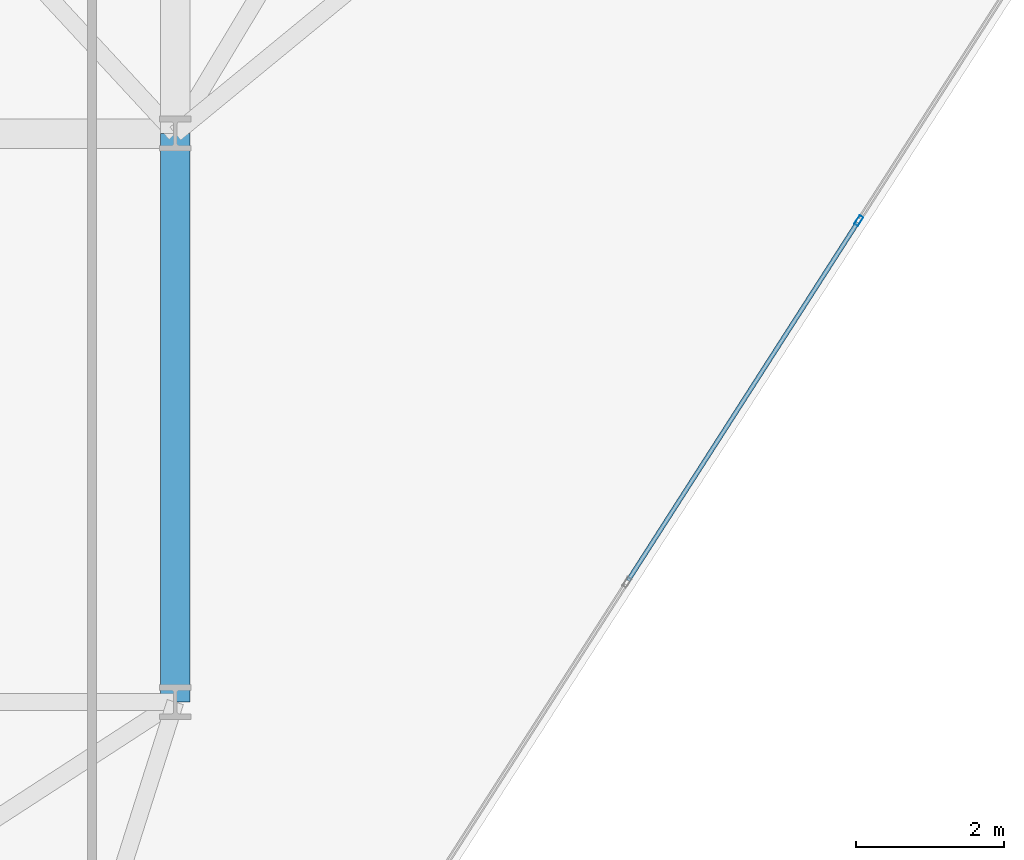
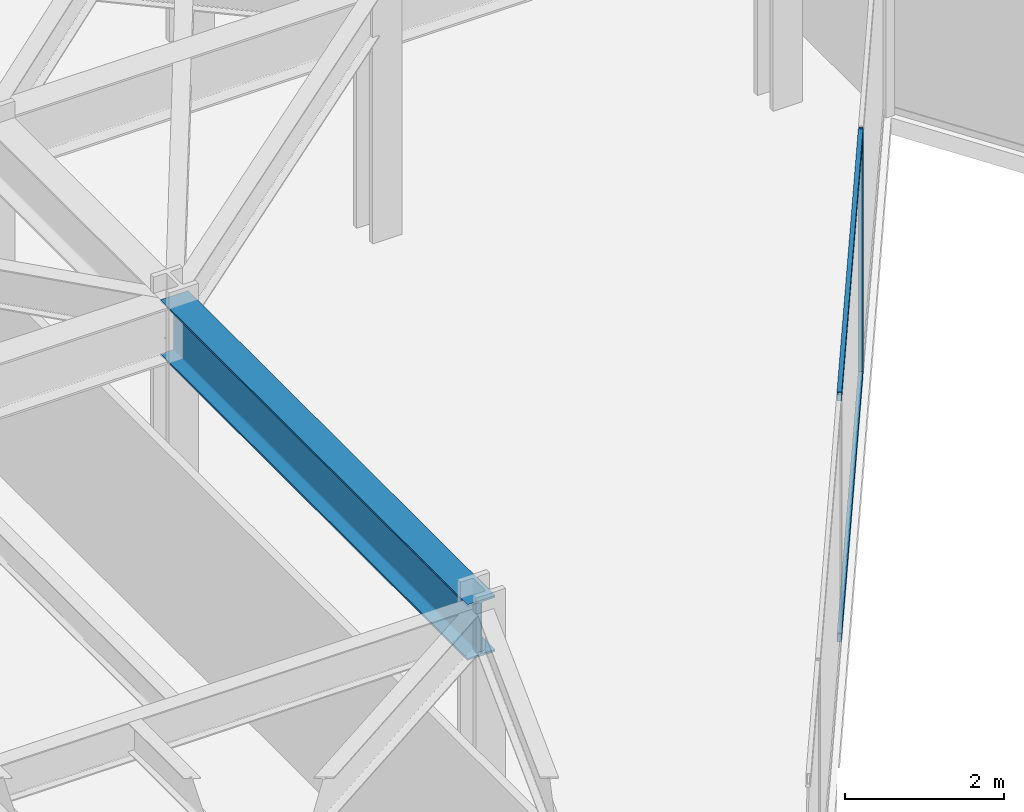
# One storey, part 8 of 26: 3 members, 1 beam, 1 element without a shape of its own.
"""IFC4 building model written with IfcOpenShell, lengths in metres."""

from ifc_helpers import new_model, si_unit, direction, frame, origin, origin_2d, place, context, subcontext, project, spatial, hollow_rectangle, i_section, extrude, material, layer, layer_set, material_profile, profile_set, type_object, element, aggregate, save


model = new_model("IFC4")

# Units and contexts
model_context = context("Model", 3, precision=1e-05, world=origin(), true_north=direction((0.0, 1.0)))
body_context = subcontext(model_context, "Body", "Model", "MODEL_VIEW")
ifc_project = project(units=[si_unit("LENGTHUNIT", "METRE"), si_unit("AREAUNIT", "SQUARE_METRE"), si_unit("VOLUMEUNIT", "CUBIC_METRE"), si_unit("PLANEANGLEUNIT", "RADIAN"), si_unit("MASSUNIT", "GRAM", prefix="KILO")], contexts=[model_context])

# Site, building, storey
site_placement = place(None, origin())
site = spatial("IfcSite", under=ifc_project, at=site_placement, CompositionType="ELEMENT")
building_placement = place(site_placement, origin())
building = spatial("IfcBuilding", under=site, at=building_placement, Name="Kravanh Interchange Tower", CompositionType="ELEMENT")
storey_placement = place(building_placement, frame((0.0, 0.0, 124.0)))
storey = spatial("IfcBuildingStorey", under=building, at=storey_placement, Name="L29", CompositionType="ELEMENT", Elevation=124.0)

# Curtain wall, members
ifc_material_1 = material(Name="Anodised Bronze Aluminium", Category="aluminium")
ifc_layer = layer(ifc_material_1, 0.179931640625)
ifc_layer_set = layer_set([ifc_layer], Name="Unitised Curtain Wall System CW-Z2 Mid Office")
curtain_wall_type = type_object("IfcCurtainWallType", Name="Unitised Curtain Wall System CW-Z2 Mid Office", PredefinedType="NOTDEFINED", material=ifc_layer_set)
curtain_wall_placement = place(storey_placement, origin())
curtain_wall = element("IfcCurtainWall", 1, at=curtain_wall_placement, inside=storey, type_object=curtain_wall_type, Name="L29 Unitised Curtain Wall CW-L29-05", PredefinedType="NOTDEFINED")
ifc_material_2 = material(Name="Anodised Bronze Aluminium", Category="aluminium")
ifc_material_profile_1 = material_profile(ifc_material_2, hollow_rectangle(XDim=0.06005859375, YDim=0.139892578125, WallThickness=0.00390625, at=origin_2d()), Name="ALU60X140X4")
ifc_profile_set_1 = profile_set([ifc_material_profile_1], Name="Anodised Bronze Aluminium")
member_type_1 = type_object("IfcMemberType", Name="Curtain Wall Mullion ALU60X140X4 Bronze", PredefinedType="MULLION", material=ifc_profile_set_1)
member_1_placement = place(storey_placement, frame((36.45849609375, 21.021728515625, 0.0), z_axis=(0.0, 0.0, 1.0), x_axis=(0.841879939476, -0.539664865919, 0.0)))
member_1 = element("IfcMember", 2, at=member_1_placement, type_object=member_type_1, Name="CW-Z2 mullion 2", PredefinedType="MULLION", context=body_context, shape_type="SweptSolid", body=[
    extrude(hollow_rectangle(XDim=0.06005859375, YDim=0.139892578125, WallThickness=0.00390625, at=origin_2d()), origin(), (0.0, 0.0, 1.0), 3.75),
])
ifc_material_3 = material(Name="Anodised Bronze Aluminium", Category="aluminium")
ifc_material_profile_2 = material_profile(ifc_material_3, hollow_rectangle(XDim=0.06005859375, YDim=0.139892578125, WallThickness=0.00390625, at=origin_2d()), Name="ALU60X140X4")
ifc_profile_set_2 = profile_set([ifc_material_profile_2], Name="Anodised Bronze Aluminium")
member_type_2 = type_object("IfcMemberType", Name="Curtain Wall Transom ALU60X140X4 Bronze", PredefinedType="USERDEFINED", material=ifc_profile_set_2)
member_2_placement = place(storey_placement, frame((36.4423828125, 20.99658203125, 0.030029296875), z_axis=(-0.539647630778, -0.841890987359, 0.0), x_axis=(0.841890987359, -0.539647630778, 0.0)))
member_2 = element("IfcMember", 3, at=member_2_placement, type_object=member_type_2, Name="CW-Z2 transom 2.1", ObjectType="TRANSOM", PredefinedType="USERDEFINED", context=body_context, shape_type="SweptSolid", body=[
    extrude(hollow_rectangle(XDim=0.06005859375, YDim=0.139892578125, WallThickness=0.00390625, at=origin_2d()), origin(), (0.0, 0.0, 1.0), 5.760986328125),
])
member_3_placement = place(storey_placement, frame((36.4423828125, 20.99658203125, 3.719970703125), z_axis=(-0.539647630778, -0.841890987359, 0.0), x_axis=(0.841890987359, -0.539647630778, 0.0)))
member_3 = element("IfcMember", 4, at=member_3_placement, type_object=member_type_2, Name="CW-Z2 transom 2.2", ObjectType="TRANSOM", PredefinedType="USERDEFINED", context=body_context, shape_type="SweptSolid", body=[
    extrude(hollow_rectangle(XDim=0.06005859375, YDim=0.139892578125, WallThickness=0.00390625, at=origin_2d()), origin(), (0.0, 0.0, 1.0), 5.760986328125),
])
aggregate(curtain_wall, [member_1, member_2, member_3])

# Beam
ifc_material_4 = material(Name="Structural Steel S355", Category="steel")
ifc_material_profile_3 = material_profile(ifc_material_4, i_section(OverallWidth=0.39990234375, OverallDepth=0.85595703125, WebThickness=0.018310546875, FlangeThickness=0.029296875, FilletRadius=0.02490234375, at=origin_2d()), Name="W33X201")
ifc_profile_set_3 = profile_set([ifc_material_profile_3], Name="Structural Steel S355")
beam_type = type_object("IfcBeamType", Name="Floor Beam W33X201 Structural Steel S355", PredefinedType="BEAM", material=ifc_profile_set_3)
beam_placement = place(storey_placement, frame((27.199951171875, 14.5, 3.322021484375), z_axis=(0.0, 1.0, 0.0), x_axis=(-1.0, 0.0, 0.0)))
element("IfcBeam", 5, at=beam_placement, inside=storey, type_object=beam_type, Name="L29 Primary Floor Girder 102", PredefinedType="BEAM", context=body_context, shape_type="SweptSolid", body=[
    extrude(i_section(OverallWidth=0.39990234375, OverallDepth=0.85595703125, WebThickness=0.018310546875, FlangeThickness=0.029296875, FilletRadius=0.02490234375, at=origin_2d()), origin(), (0.0, 0.0, 1.0), 7.699951171875),
])

save(model, "model.ifc")
